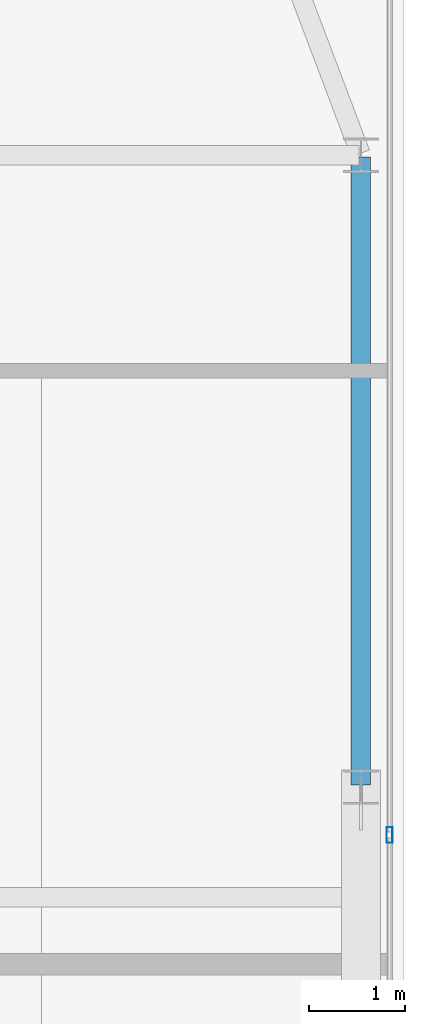
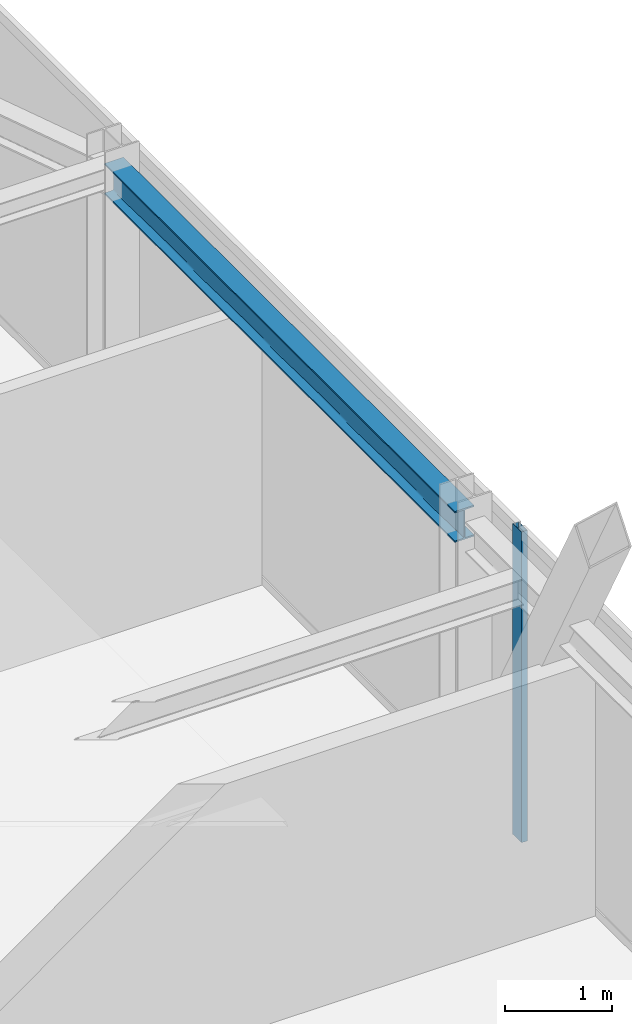
# One storey, part 20 of 33: 1 beam, 1 member, 1 element without a shape of its own.
"""IFC4 building model written with IfcOpenShell, lengths in metres."""

from ifc_helpers import new_model, si_unit, direction, frame, origin, origin_2d, place, context, subcontext, project, spatial, hollow_rectangle, i_section, extrude, source, transform, mapped, material, layer, layer_set, material_profile, profile_set, type_object, type_shapes, element, aggregate, save


model = new_model("IFC4")

# Units and contexts
model_context = context("Model", 3, precision=1e-05, world=origin(), true_north=direction((0.0, 1.0)))
body_context = subcontext(model_context, "Body", "Model", "MODEL_VIEW")
ifc_project = project(units=[si_unit("LENGTHUNIT", "METRE"), si_unit("AREAUNIT", "SQUARE_METRE"), si_unit("VOLUMEUNIT", "CUBIC_METRE"), si_unit("PLANEANGLEUNIT", "RADIAN"), si_unit("MASSUNIT", "GRAM", prefix="KILO")], contexts=[model_context])

# Site, building, storey
site_placement = place(None, origin())
site = spatial("IfcSite", under=ifc_project, at=site_placement, CompositionType="ELEMENT")
building_placement = place(site_placement, origin())
building = spatial("IfcBuilding", under=site, at=building_placement, Name="Varnel Quay Broadcast Tower", CompositionType="ELEMENT")
storey_placement = place(building_placement, frame((0.0, 0.0, 199.800048828125)))
storey = spatial("IfcBuildingStorey", under=building, at=storey_placement, Name="L49", CompositionType="ELEMENT", Elevation=199.800048828125)

# Beam
ifc_material_1 = material(Name="Structural Steel CSA G40.21 350W", Category="steel")
ifc_material_profile_1 = material_profile(ifc_material_1, i_section(OverallWidth=0.205078125, OverallDepth=0.35400390625, WebThickness=0.009521484375, FlangeThickness=0.016845703125, FilletRadius=0.012939453125, at=origin_2d()), Name="W360X79")
ifc_profile_set_1 = profile_set([ifc_material_profile_1], Name="Structural Steel CSA G40.21 350W")
beam_type = type_object("IfcBeamType", Name="Beam_W360X79", PredefinedType="SPANDREL", material=ifc_profile_set_1)
shared_shape_1 = source(origin(), body_context, "Body", "SweptSolid", [
    extrude(i_section(OverallWidth=0.205078125, OverallDepth=0.35400390625, WebThickness=0.009521484375, FlangeThickness=0.016845703125, FilletRadius=0.012939453125, at=origin_2d()), origin(), (0.0, 0.0, 1.0), 6.56005859375),
])
type_shapes(beam_type, [shared_shape_1])
beam_placement = place(storey_placement, frame((58.050048828125, 29.02001953125, 3.373046875), z_axis=(0.0, 1.0, 0.0), x_axis=(-1.0, 0.0, 0.0)))
element("IfcBeam", 1, at=beam_placement, inside=storey, type_object=beam_type, Name="L49 East Spandrel TC-E2-TC-E3", PredefinedType="SPANDREL", context=body_context, shape_type="MappedRepresentation", body=[
    mapped(shared_shape_1, transform((0.0, 0.0, 0.0), x_axis=(1.0, 0.0, 0.0), y_axis=(0.0, 1.0, 0.0), z_axis=(0.0, 0.0, 1.0), scale=1.0)),
])

# Curtain wall, member
ifc_material_2 = material(Name="Anodised Bronze Aluminium 6063-T6", Category="aluminium")
ifc_layer = layer(ifc_material_2, 0.18994140625, Name="Anodised Bronze Aluminium 6063-T6")
ifc_layer_set = layer_set([ifc_layer], Name="Anodised Bronze Aluminium 6063-T6")
curtain_wall_type = type_object("IfcCurtainWallType", Name="CW_UpperTower", PredefinedType="NOTDEFINED", material=ifc_layer_set)
curtain_wall_placement = place(storey_placement, origin())
curtain_wall = element("IfcCurtainWall", 2, at=curtain_wall_placement, inside=storey, type_object=curtain_wall_type, Name="L49 East Unitised Curtain Wall", PredefinedType="NOTDEFINED")
ifc_material_profile_2 = material_profile(ifc_material_2, hollow_rectangle(XDim=0.06494140625, YDim=0.1650390625, WallThickness=0.00341796875, at=origin_2d()), Name="ALU65X165X3.5")
ifc_profile_set_2 = profile_set([ifc_material_profile_2], Name="Anodised Bronze Aluminium 6063-T6")
member_type = type_object("IfcMemberType", Name="Mull_CWS-03", PredefinedType="MULLION", material=ifc_profile_set_2)
shared_shape_2 = source(origin(), body_context, "Body", "SweptSolid", [
    extrude(hollow_rectangle(XDim=0.06494140625, YDim=0.1650390625, WallThickness=0.00341796875, at=origin_2d()), origin(), (0.0, 0.0, 1.0), 3.550048828125),
])
type_shapes(member_type, [shared_shape_2])
member_placement = place(storey_placement, frame((58.35009765625, 28.5, 0.0), z_axis=(0.0, 0.0, 1.0), x_axis=(-1.0, 0.0, 0.0)))
member = element("IfcMember", 3, at=member_placement, type_object=member_type, Name="CWS-03 mullion 2", PredefinedType="MULLION", context=body_context, shape_type="MappedRepresentation", body=[
    mapped(shared_shape_2, transform((0.0, 0.0, 0.0), x_axis=(1.0, 0.0, 0.0), y_axis=(0.0, 1.0, 0.0), z_axis=(0.0, 0.0, 1.0), scale=1.0)),
])
aggregate(curtain_wall, [member])

save(model, "model.ifc")
